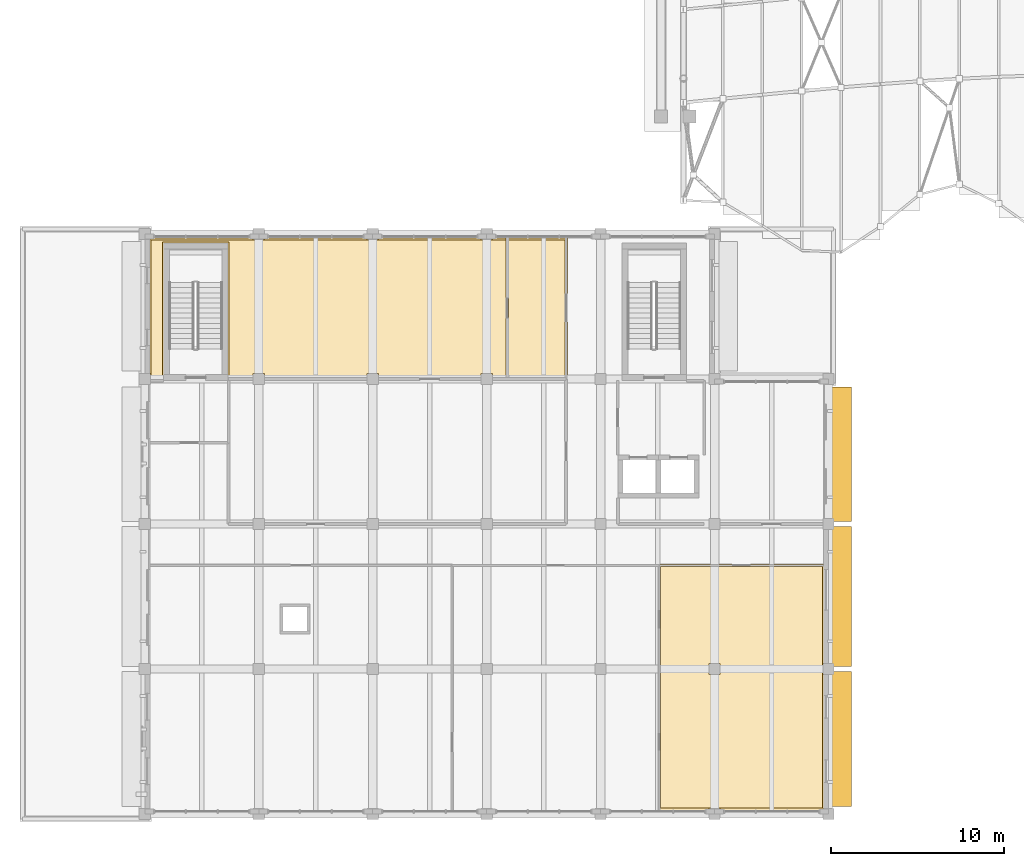
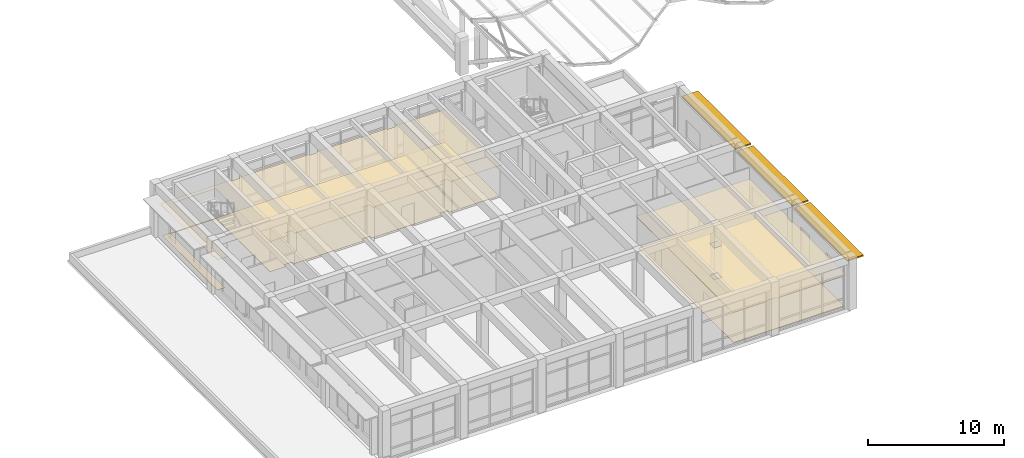
# One storey, part 69 of 79: 6 coverings, 3 shading devices.
"""IFC4 building model written with IfcOpenShell, lengths in metres."""

from ifc_helpers import new_model, si_unit, direction, frame, origin, origin_2d, place, context, subcontext, project, spatial, polyline, rectangle, outline, extrude, material, layer, layer_set, type_object, element, save


model = new_model("IFC4")

# Units and contexts
model_context = context("Model", 3, precision=1e-05, world=origin(), true_north=direction((0.0, 1.0)))
body_context = subcontext(model_context, "Body", "Model", "MODEL_VIEW")
ifc_project = project(units=[si_unit("LENGTHUNIT", "METRE"), si_unit("AREAUNIT", "SQUARE_METRE"), si_unit("VOLUMEUNIT", "CUBIC_METRE"), si_unit("PLANEANGLEUNIT", "RADIAN"), si_unit("MASSUNIT", "GRAM", prefix="KILO")], contexts=[model_context])

# Site, building, storey
site_placement = place(None, origin())
site = spatial("IfcSite", under=ifc_project, at=site_placement, CompositionType="ELEMENT")
building_placement = place(site_placement, origin())
building = spatial("IfcBuilding", under=site, at=building_placement, Name="Kolvaren Faculty of Natural Sciences", CompositionType="ELEMENT")
storey_placement = place(building_placement, frame((0.0, 0.0, 10.199951171875)))
storey = spatial("IfcBuildingStorey", under=building, at=storey_placement, Name="L02", CompositionType="ELEMENT", Elevation=10.199951171875)

# Coverings
ifc_material_1 = material(Name="Perforated mineral-fibre acoustic suspended ceiling tile")
ifc_layer_1 = layer(ifc_material_1, 0.02490234375)
ifc_layer_set_1 = layer_set([ifc_layer_1], Name="Perforated mineral-fibre acoustic suspended ceiling tile")
covering_type_1 = type_object("IfcCoveringType", Name="AcousticSuspendedCeiling_25", PredefinedType="CEILING", material=ifc_layer_set_1)
covering_1_placement = place(storey_placement, frame((0.0, 0.0, 2.824951171875)))
element("IfcCovering", 1, at=covering_1_placement, inside=storey, type_object=covering_type_1, Name="L02 L02 Lab Tutorial Seminar Room acoustic ceiling", PredefinedType="CEILING", context=body_context, shape_type="SweptSolid", body=[
    extrude(outline(polyline([(40.125, 8.820068359375), (40.125, 8.925048828125), (39.47509765625, 8.925048828125), (39.47509765625, 8.820068359375), (36.52001953125, 8.820068359375), (36.52001953125, 23.080078125), (46.179931640625, 23.080078125), (46.179931640625, 17.324951171875), (46.074951171875, 17.324951171875), (46.074951171875, 16.675048828125), (46.179931640625, 16.675048828125), (46.179931640625, 8.925048828125), (46.074951171875, 8.925048828125), (46.074951171875, 8.820068359375), (40.125, 8.820068359375)]), holes=[polyline([(39.47509765625, 17.324951171875), (39.47509765625, 16.675048828125), (40.125, 16.675048828125), (40.125, 17.324951171875), (39.47509765625, 17.324951171875)])]), origin(), (0.0, 0.0, 1.0), 0.025146484375),
])
covering_2_placement = place(storey_placement, frame((0.0, 0.0, 2.824951171875)))
element("IfcCovering", 2, at=covering_2_placement, inside=storey, type_object=covering_type_1, Name="L02 L02 Molecular Biology Teaching Laboratory acoustic ceiling", PredefinedType="CEILING", context=body_context, shape_type="SweptSolid", body=[
    extrude(outline(polyline([(11.544921875, 41.594970703125), (7.955078125, 41.594970703125), (7.955078125, 33.6201171875), (7.125, 33.6201171875), (7.125, 34.125), (7.02001953125, 34.125), (7.02001953125, 41.875), (7.125, 41.875), (7.125, 41.97998046875), (13.074951171875, 41.97998046875), (13.074951171875, 41.875), (13.72509765625, 41.875), (13.72509765625, 41.97998046875), (19.675048828125, 41.97998046875), (19.675048828125, 41.875), (20.324951171875, 41.875), (20.324951171875, 41.97998046875), (26.27490234375, 41.97998046875), (26.27490234375, 41.875), (26.925048828125, 41.875), (26.925048828125, 41.97998046875), (27.8798828125, 41.97998046875), (27.8798828125, 33.719970703125), (26.925048828125, 33.719970703125), (26.925048828125, 34.125), (26.27490234375, 34.125), (26.27490234375, 33.719970703125), (20.324951171875, 33.719970703125), (20.324951171875, 34.125), (19.675048828125, 34.125), (19.675048828125, 33.719970703125), (13.72509765625, 33.719970703125), (13.72509765625, 34.125), (13.074951171875, 34.125), (13.074951171875, 33.719970703125), (11.72998046875, 33.719970703125), (11.72998046875, 33.6201171875), (11.544921875, 33.6201171875), (11.544921875, 41.594970703125)])), origin(), (0.0, 0.0, 1.0), 0.025146484375),
])
covering_3_placement = place(storey_placement, frame((0.0, 0.0, 2.824951171875)))
element("IfcCovering", 3, at=covering_3_placement, inside=storey, type_object=covering_type_1, Name="L02 L02 Interdisciplinary Research Laboratory 45 acoustic ceiling", PredefinedType="CEILING", context=body_context, shape_type="SweptSolid", body=[
    extrude(outline(polyline([(27.719970703125, 33.719970703125), (27.719970703125, 41.97998046875), (31.280029296875, 41.97998046875), (31.280029296875, 33.719970703125), (27.719970703125, 33.719970703125)])), origin(), (0.0, 0.0, 1.0), 0.025146484375),
])

# Shading devices
ifc_material_2 = material(Name="Precast concrete C35/45", Category="concrete")
ifc_layer_2 = layer(ifc_material_2, 0.1201171875)
ifc_layer_set_2 = layer_set([ifc_layer_2], Name="Precast concrete C35/45")
shading_device_type = type_object("IfcShadingDeviceType", Name="ChhajjaSolarHood_1350", PredefinedType="AWNING", material=ifc_layer_set_2)
shading_device_1_placement = place(storey_placement, frame((47.054931640625, 29.449951171875, 3.844970703125), z_axis=(0.0, 0.0, 1.0), x_axis=(0.0, -1.0, 0.0)))
element("IfcShadingDevice", 4, at=shading_device_1_placement, inside=storey, type_object=shading_device_type, Name="L02 precast sandstone chhajja solar hood 88", PredefinedType="AWNING", context=body_context, shape_type="SweptSolid", body=[
    extrude(rectangle(XDim=7.800048828125, YDim=1.35009765625, at=origin_2d()), origin(), (0.0, 0.0, 1.0), 0.1201171875),
])
shading_device_2_placement = place(storey_placement, frame((47.054931640625, 21.199951171875, 3.844970703125), z_axis=(0.0, 0.0, 1.0), x_axis=(0.0, -1.0, 0.0)))
element("IfcShadingDevice", 5, at=shading_device_2_placement, inside=storey, type_object=shading_device_type, Name="L02 precast sandstone chhajja solar hood 89", PredefinedType="AWNING", context=body_context, shape_type="SweptSolid", body=[
    extrude(rectangle(XDim=8.10009765625, YDim=1.35009765625, at=origin_2d()), origin(), (0.0, 0.0, 1.0), 0.1201171875),
])
shading_device_3_placement = place(storey_placement, frame((47.054931640625, 12.949951171875, 3.844970703125), z_axis=(0.0, 0.0, 1.0), x_axis=(0.0, -1.0, 0.0)))
element("IfcShadingDevice", 6, at=shading_device_3_placement, inside=storey, type_object=shading_device_type, Name="L02 precast sandstone chhajja solar hood 90", PredefinedType="AWNING", context=body_context, shape_type="SweptSolid", body=[
    extrude(rectangle(XDim=7.800048828125, YDim=1.35009765625, at=origin_2d()), origin(), (0.0, 0.0, 1.0), 0.1201171875),
])

# Coverings
ifc_material_3 = material(Name="Seamless chemical-resistant laboratory epoxy resin flooring")
ifc_layer_3 = layer(ifc_material_3, 0.02001953125)
ifc_layer_set_3 = layer_set([ifc_layer_3], Name="Seamless chemical-resistant laboratory epoxy resin flooring")
covering_type_2 = type_object("IfcCoveringType", Name="LabEpoxyFloorFinish_20", PredefinedType="FLOORING", material=ifc_layer_set_3)
covering_4_placement = place(storey_placement, origin())
element("IfcCovering", 7, at=covering_4_placement, inside=storey, type_object=covering_type_2, Name="L02 L02 Molecular Biology Teaching Laboratory floor finish", PredefinedType="FLOORING", context=body_context, shape_type="SweptSolid", body=[
    extrude(outline(polyline([(11.68505859375, 41.675048828125), (11.684814453125, 41.680908203125), (11.683837890625, 41.686767578125), (11.682373046875, 41.6923828125), (11.680419921875, 41.697998046875), (11.677978515625, 41.703369140625), (11.6748046875, 41.708251953125), (11.67138671875, 41.713134765625), (11.66748046875, 41.71728515625), (11.6630859375, 41.721435546875), (11.658203125, 41.724853515625), (11.6533203125, 41.727783203125), (11.64794921875, 41.73046875), (11.642333984375, 41.732421875), (11.63671875, 41.73388671875), (11.630859375, 41.734619140625), (11.625, 41.735107421875), (7.875, 41.735107421875), (7.869140625, 41.734619140625), (7.86328125, 41.73388671875), (7.857666015625, 41.732421875), (7.85205078125, 41.73046875), (7.8466796875, 41.727783203125), (7.841796875, 41.724853515625), (7.8369140625, 41.721435546875), (7.83251953125, 41.71728515625), (7.82861328125, 41.713134765625), (7.8251953125, 41.708251953125), (7.822021484375, 41.703369140625), (7.819580078125, 41.697998046875), (7.817626953125, 41.6923828125), (7.816162109375, 41.686767578125), (7.815185546875, 41.680908203125), (7.81494140625, 41.675048828125), (7.81494140625, 33.760009765625), (7.159912109375, 33.760009765625), (7.159912109375, 41.840087890625), (27.739990234375, 41.840087890625), (27.739990234375, 33.860107421875), (26.925048828125, 33.860107421875), (26.925048828125, 34.125), (26.27490234375, 34.125), (26.27490234375, 33.860107421875), (20.324951171875, 33.860107421875), (20.324951171875, 34.125), (19.675048828125, 34.125), (19.675048828125, 33.860107421875), (13.72509765625, 33.860107421875), (13.72509765625, 34.125), (13.074951171875, 34.125), (13.074951171875, 33.860107421875), (11.68505859375, 33.860107421875), (11.68505859375, 41.675048828125)])), origin(), (0.0, 0.0, 1.0), 0.02001953125),
])
covering_5_placement = place(storey_placement, origin())
element("IfcCovering", 8, at=covering_5_placement, inside=storey, type_object=covering_type_2, Name="L02 L02 Interdisciplinary Research Laboratory 45 floor finish", PredefinedType="FLOORING", context=body_context, shape_type="SweptSolid", body=[
    extrude(outline(polyline([(31.139892578125, 33.860107421875), (27.860107421875, 33.860107421875), (27.860107421875, 41.840087890625), (31.139892578125, 41.840087890625), (31.139892578125, 33.860107421875)])), origin(), (0.0, 0.0, 1.0), 0.02001953125),
])
ifc_material_4 = material(Name="Polished Uruguayan grey granite terrazzo flooring", Category="masonry")
ifc_layer_4 = layer(ifc_material_4, 0.030029296875)
ifc_layer_set_4 = layer_set([ifc_layer_4], Name="Polished Uruguayan grey granite terrazzo flooring")
covering_type_3 = type_object("IfcCoveringType", Name="TerrazzoFloorFinish_30", PredefinedType="FLOORING", material=ifc_layer_set_4)
covering_6_placement = place(storey_placement, origin())
element("IfcCovering", 9, at=covering_6_placement, inside=storey, type_object=covering_type_3, Name="L02 L02 Lab Tutorial Seminar Room floor finish", PredefinedType="FLOORING", context=body_context, shape_type="SweptSolid", body=[
    extrude(outline(polyline([(46.0400390625, 8.9599609375), (36.659912109375, 8.9599609375), (36.659912109375, 22.93994140625), (46.0400390625, 22.93994140625), (46.0400390625, 8.9599609375)]), holes=[polyline([(39.47509765625, 17.324951171875), (39.47509765625, 16.675048828125), (40.125, 16.675048828125), (40.125, 17.324951171875), (39.47509765625, 17.324951171875)])]), origin(), (0.0, 0.0, 1.0), 0.030029296875),
])

save(model, "model.ifc")
